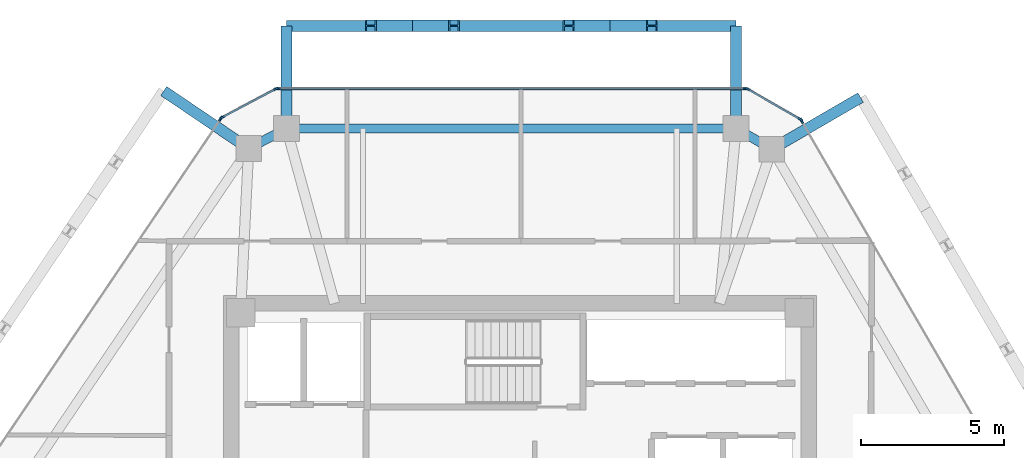
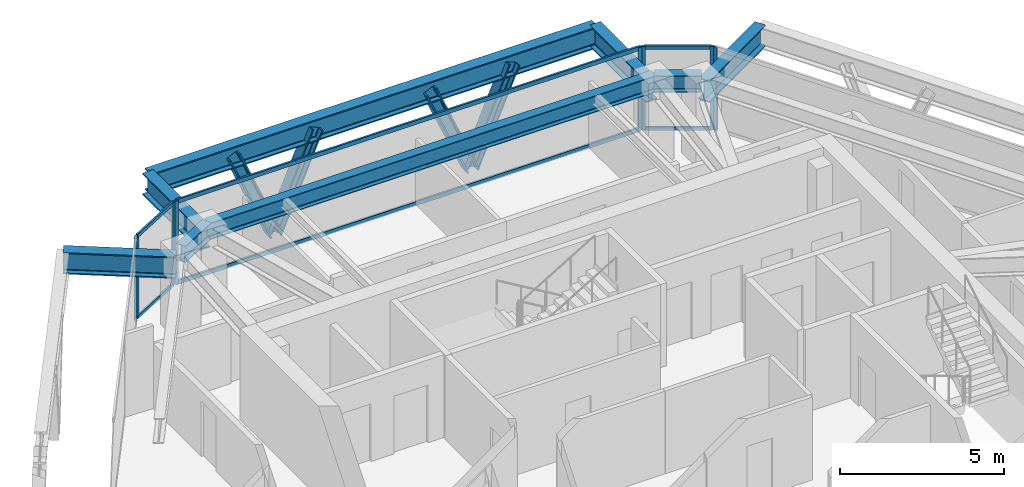
# One storey, part 6 of 11: 18 members, 8 beams, 5 elements without a shape of their own.
"""IFC4 building model written with IfcOpenShell, lengths in metres."""

from ifc_helpers import new_model, si_unit, direction, frame, origin, origin_2d, place, context, subcontext, project, spatial, rectangle, i_section, extrude, source, transform, mapped, material, layer, layer_set, material_profile, profile_set, type_object, type_shapes, element, aggregate, save


model = new_model("IFC4")

# Units and contexts
model_context = context("Model", 3, precision=1e-05, world=origin(), true_north=direction((0.0, 1.0)))
body_context = subcontext(model_context, "Body", "Model", "MODEL_VIEW")
ifc_project = project(units=[si_unit("LENGTHUNIT", "METRE"), si_unit("AREAUNIT", "SQUARE_METRE"), si_unit("VOLUMEUNIT", "CUBIC_METRE"), si_unit("PLANEANGLEUNIT", "RADIAN"), si_unit("MASSUNIT", "GRAM", prefix="KILO")], contexts=[model_context])

# Site, building, storey
site_placement = place(None, origin())
site = spatial("IfcSite", under=ifc_project, at=site_placement, CompositionType="ELEMENT")
building_placement = place(site_placement, origin())
building = spatial("IfcBuilding", under=site, at=building_placement, Name="Durnholm Broadcast Tower", CompositionType="ELEMENT")
storey_placement = place(building_placement, frame((0.0, 0.0, 264.89990234375)))
storey = spatial("IfcBuildingStorey", under=building, at=storey_placement, Name="L74", CompositionType="ELEMENT", Elevation=264.89990234375)

# Beams
ifc_material_1 = material(Name="Steel ASTM A992 Grade 50", Category="steel")
ifc_material_profile_1 = material_profile(ifc_material_1, i_section(OverallWidth=0.385009765625, OverallDepth=0.802978515625, WebThickness=0.023681640625, FlangeThickness=0.0419921875, FilletRadius=0.032958984375, at=origin_2d()), Name="W30X261")
ifc_profile_set_1 = profile_set([ifc_material_profile_1], Name="Steel ASTM A992 Grade 50")
beam_type_1 = type_object("IfcBeamType", Name="BM-EXO-TIE", PredefinedType="USERDEFINED", material=ifc_profile_set_1)
shared_shape_1 = source(origin(), body_context, "Body", "SweptSolid", [
    extrude(i_section(OverallWidth=0.385009765625, OverallDepth=0.802978515625, WebThickness=0.023681640625, FlangeThickness=0.0419921875, FilletRadius=0.032958984375, at=origin_2d()), origin(), (0.0, 0.0, 1.0), 3.4560546875),
])
for number, where, z_axis, x_axis, name in (
    (1, (7.57958984375, 14.406005859375, 2.3486328125), (0.0, 1.0, 0.0), (-1.0, 0.0, 0.0), "L74 exoskeleton stand-off tie bracket F4.1"),
    (2, (-8.187744140625, 14.406005859375, 2.3486328125), (0.0, 1.0, 0.0), (-1.0, 0.0, 0.0), "L74 exoskeleton stand-off tie bracket F4.2"),
):
    element("IfcBeam", number, at=place(storey_placement, frame(where, z_axis=z_axis, x_axis=x_axis)), inside=storey, type_object=beam_type_1, Name=name, ObjectType="GIRDER", PredefinedType="USERDEFINED", context=body_context, shape_type="MappedRepresentation", body=[
        mapped(shared_shape_1, transform((0.0, 0.0, 0.0), x_axis=(1.0, 0.0, 0.0), y_axis=(0.0, 1.0, 0.0), z_axis=(0.0, 0.0, 1.0), scale=1.0)),
    ])
shared_shape_2 = source(origin(), body_context, "Body", "SweptSolid", [
    extrude(i_section(OverallWidth=0.385009765625, OverallDepth=0.802978515625, WebThickness=0.023681640625, FlangeThickness=0.0419921875, FilletRadius=0.032958984375, at=origin_2d()), origin(), (0.0, 0.0, 1.0), 3.455810546875),
])
for number, where, z_axis, x_axis, name in (
    (3, (8.9619140625, 13.610107421875, 2.3486328125), (0.864906682814, 0.501932694715, 0.0), (-0.501932694715, 0.864906682814, 0.0), "L74 exoskeleton stand-off tie bracket F3.2"),
    (4, (-9.63427734375, 13.637939453125, 2.3486328125), (-0.828446342252, 0.560068440469, 0.0), (-0.560068440469, -0.828446342252, 0.0), "L74 exoskeleton stand-off tie bracket F5.1"),
):
    element("IfcBeam", number, at=place(storey_placement, frame(where, z_axis=z_axis, x_axis=x_axis)), inside=storey, type_object=beam_type_1, Name=name, ObjectType="GIRDER", PredefinedType="USERDEFINED", context=body_context, shape_type="MappedRepresentation", body=[
        mapped(shared_shape_2, transform((0.0, 0.0, 0.0), x_axis=(1.0, 0.0, 0.0), y_axis=(0.0, 1.0, 0.0), z_axis=(0.0, 0.0, 1.0), scale=1.0)),
    ])
ifc_material_profile_2 = material_profile(ifc_material_1, i_section(OverallWidth=0.3251953125, OverallDepth=0.6162109375, WebThickness=0.013916015625, FlangeThickness=0.021484375, FilletRadius=0.02783203125, at=origin_2d()), Name="W24X117")
ifc_profile_set_2 = profile_set([ifc_material_profile_2], Name="Steel ASTM A992 Grade 50")
beam_type_2 = type_object("IfcBeamType", Name="STL-SP-W24X117", PredefinedType="SPANDREL", material=ifc_profile_set_2)
shared_shape_3 = source(origin(), body_context, "Body", "SweptSolid", [
    extrude(i_section(OverallWidth=0.3251953125, OverallDepth=0.6162109375, WebThickness=0.013916015625, FlangeThickness=0.021484375, FilletRadius=0.02783203125, at=origin_2d()), origin(), (0.0, 0.0, 1.0), 1.502685546875),
])
beam_1_placement = place(storey_placement, frame((-9.514892578125, 13.557373046875, 2.777099609375), z_axis=(0.883241909673, 0.468917614296, 0.0), x_axis=(-0.468917614296, 0.883241909673, 0.0)))
element("IfcBeam", 5, at=beam_1_placement, inside=storey, type_object=beam_type_2, Name="L74 perimeter spandrel girder 04", PredefinedType="SPANDREL", context=body_context, shape_type="MappedRepresentation", body=[
    mapped(shared_shape_3, transform((0.0, 0.0, 0.0), x_axis=(1.0, 0.0, 0.0), y_axis=(0.0, 1.0, 0.0), z_axis=(0.0, 0.0, 1.0), scale=1.0)),
])
shared_shape_4 = source(origin(), body_context, "Body", "SweptSolid", [
    extrude(i_section(OverallWidth=0.3251953125, OverallDepth=0.6162109375, WebThickness=0.013916015625, FlangeThickness=0.021484375, FilletRadius=0.02783203125, at=origin_2d()), origin(), (0.0, 0.0, 1.0), 15.767333984375),
])
beam_2_placement = place(storey_placement, frame((-8.187744140625, 14.261962890625, 2.777099609375), z_axis=(1.0, 0.0, 0.0), x_axis=(0.0, 1.0, 0.0)))
element("IfcBeam", 6, at=beam_2_placement, inside=storey, type_object=beam_type_2, Name="L74 perimeter spandrel girder 05", PredefinedType="SPANDREL", context=body_context, shape_type="MappedRepresentation", body=[
    mapped(shared_shape_4, transform((0.0, 0.0, 0.0), x_axis=(1.0, 0.0, 0.0), y_axis=(0.0, 1.0, 0.0), z_axis=(0.0, 0.0, 1.0), scale=1.0)),
])
shared_shape_5 = source(origin(), body_context, "Body", "SweptSolid", [
    extrude(i_section(OverallWidth=0.3251953125, OverallDepth=0.6162109375, WebThickness=0.013916015625, FlangeThickness=0.021484375, FilletRadius=0.02783203125, at=origin_2d()), origin(), (0.0, 0.0, 1.0), 1.451416015625),
])
type_shapes(beam_type_2, [shared_shape_3, shared_shape_4, shared_shape_5])
beam_3_placement = place(storey_placement, frame((7.57958984375, 14.261962890625, 2.777099609375), z_axis=(0.866571760088, -0.499052486836, 0.0), x_axis=(0.499052486836, 0.866571760088, 0.0)))
element("IfcBeam", 7, at=beam_3_placement, inside=storey, type_object=beam_type_2, Name="L74 perimeter spandrel girder 06", PredefinedType="SPANDREL", context=body_context, shape_type="MappedRepresentation", body=[
    mapped(shared_shape_5, transform((0.0, 0.0, 0.0), x_axis=(1.0, 0.0, 0.0), y_axis=(0.0, 1.0, 0.0), z_axis=(0.0, 0.0, 1.0), scale=1.0)),
])
shared_shape_6 = source(origin(), body_context, "Body", "SweptSolid", [
    extrude(i_section(OverallWidth=0.385009765625, OverallDepth=0.802978515625, WebThickness=0.023681640625, FlangeThickness=0.0419921875, FilletRadius=0.032958984375, at=origin_2d()), origin(), (0.0, 0.0, 1.0), 15.767333984375),
])
type_shapes(beam_type_1, [shared_shape_1, shared_shape_2, shared_shape_6])
beam_4_placement = place(storey_placement, frame((7.57958984375, 17.862060546875, 2.3486328125), z_axis=(-1.0, 0.0, 0.0), x_axis=(0.0, -1.0, 0.0)))
element("IfcBeam", 8, at=beam_4_placement, inside=storey, type_object=beam_type_1, Name="L74 exoskeleton collector spandrel F4", PredefinedType="SPANDREL", context=body_context, shape_type="MappedRepresentation", body=[
    mapped(shared_shape_6, transform((0.0, 0.0, 0.0), x_axis=(1.0, 0.0, 0.0), y_axis=(0.0, 1.0, 0.0), z_axis=(0.0, 0.0, 1.0), scale=1.0)),
])

# Members
ifc_material_2 = material(Name="Steel ASTM A913 Grade 65", Category="steel")
ifc_material_profile_3 = material_profile(ifc_material_2, i_section(OverallWidth=0.40625, OverallDepth=0.416015625, WebThickness=0.02978515625, FlangeThickness=0.048095703125, FilletRadius=0.030517578125, at=origin_2d()), Name="W14X257")
ifc_profile_set_3 = profile_set([ifc_material_profile_3], Name="Steel ASTM A913 Grade 65")
member_type_1 = type_object("IfcMemberType", Name="STL-DG-W14X257", PredefinedType="BRACE", material=ifc_profile_set_3)
shared_shape_7 = source(origin(), body_context, "Body", "SweptSolid", [
    extrude(i_section(OverallWidth=0.40625, OverallDepth=0.416015625, WebThickness=0.02978515625, FlangeThickness=0.048095703125, FilletRadius=0.030517578125, at=origin_2d()), origin(), (0.0, 0.0, 1.0), 3.699462890625),
])
member_1_placement = place(storey_placement, frame((-3.772705078125, 17.862060546875, -1.051513671875), z_axis=(0.394102474633, 0.0, 0.919066504388), x_axis=(0.0, 1.0, 0.0)))
element("IfcMember", 9, at=member_1_placement, inside=storey, type_object=member_type_1, Name="L74 stand-off diagrid brace F4.D2.1", PredefinedType="BRACE", context=body_context, shape_type="MappedRepresentation", body=[
    mapped(shared_shape_7, transform((0.0, 0.0, 0.0), x_axis=(1.0, 0.0, 0.0), y_axis=(0.0, 1.0, 0.0), z_axis=(0.0, 0.0, 1.0), scale=1.0)),
])
shared_shape_8 = source(origin(), body_context, "Body", "SweptSolid", [
    extrude(i_section(OverallWidth=0.40625, OverallDepth=0.416015625, WebThickness=0.02978515625, FlangeThickness=0.048095703125, FilletRadius=0.030517578125, at=origin_2d()), origin(), (0.0, 0.0, 1.0), 3.69970703125),
])
type_shapes(member_type_1, [shared_shape_7, shared_shape_8])
for number, where, z_axis, x_axis, name in (
    (10, (3.164794921875, 17.862060546875, -1.051513671875), (0.394158214547, 0.0, 0.919042600702), (0.0, 1.0, 0.0), "L74 stand-off diagrid brace F4.D1.1"),
    (11, (3.164794921875, 17.862060546875, -1.051513671875), (-0.394158214547, 0.0, 0.919042600702), (0.0, -1.0, 0.0), "L74 stand-off diagrid brace F4.D1.2"),
    (12, (-3.772705078125, 17.862060546875, -1.051513671875), (-0.394158214547, 0.0, 0.919042600702), (0.0, -1.0, 0.0), "L74 stand-off diagrid brace F4.D2.2"),
):
    element("IfcMember", number, at=place(storey_placement, frame(where, z_axis=z_axis, x_axis=x_axis)), inside=storey, type_object=member_type_1, Name=name, PredefinedType="BRACE", context=body_context, shape_type="MappedRepresentation", body=[
        mapped(shared_shape_8, transform((0.0, 0.0, 0.0), x_axis=(1.0, 0.0, 0.0), y_axis=(0.0, 1.0, 0.0), z_axis=(0.0, 0.0, 1.0), scale=1.0)),
    ])

# Curtain wall, members
ifc_material_3 = material(Name="Aluminium and Solar Control IGU", Category="aluminium")
ifc_layer_1 = layer(ifc_material_3, 0.1650390625)
ifc_layer_set_1 = layer_set([ifc_layer_1], Name="Aluminium and Solar Control IGU")
curtain_wall_type_1 = type_object("IfcCurtainWallType", Name="CW-SYS-5", PredefinedType="NOTDEFINED", material=ifc_layer_set_1)
curtain_wall_1_placement = place(storey_placement, origin())
curtain_wall_1 = element("IfcCurtainWall", 13, at=curtain_wall_1_placement, inside=storey, type_object=curtain_wall_type_1, Name="L74 curtain wall CW-CORNER CW-L74-CRN-03", PredefinedType="NOTDEFINED")
ifc_material_4 = material(Name="Aluminium 6063-T6", Category="aluminium")
ifc_material_profile_4 = material_profile(ifc_material_4, rectangle(XDim=0.06494140625, YDim=0.1298828125, at=origin_2d()), Name="CWT65X130")
ifc_profile_set_4 = profile_set([ifc_material_profile_4], Name="Aluminium 6063-T6")
member_type_2 = type_object("IfcMemberType", Name="CW-SYS-5-TRN", PredefinedType="USERDEFINED", material=ifc_profile_set_4)
shared_shape_9 = source(origin(), body_context, "Body", "SweptSolid", [
    extrude(rectangle(XDim=0.06494140625, YDim=0.1298828125, at=origin_2d()), origin(), (0.0, 0.0, 1.0), 2.070068359375),
])
type_shapes(member_type_2, [shared_shape_9])
member_2_placement = place(storey_placement, frame((-10.421875, 14.66064453125, 0.03271484375), z_axis=(0.883164581026, 0.469063239682, 0.0), x_axis=(-0.469063239682, 0.883164581026, 0.0)))
member_2 = element("IfcMember", 14, at=member_2_placement, type_object=member_type_2, Name="CW-CORNER transom 1.1", ObjectType="TRANSOM", PredefinedType="USERDEFINED", context=body_context, shape_type="MappedRepresentation", body=[
    mapped(shared_shape_9, transform((0.0, 0.0, 0.0), x_axis=(1.0, 0.0, 0.0), y_axis=(0.0, 1.0, 0.0), z_axis=(0.0, 0.0, 1.0), scale=1.0)),
])
member_3_placement = place(storey_placement, frame((-10.421875, 14.66064453125, 3.067626953125), z_axis=(0.883164581026, 0.469063239682, 0.0), x_axis=(-0.469063239682, 0.883164581026, 0.0)))
member_3 = element("IfcMember", 15, at=member_3_placement, type_object=member_type_2, Name="CW-CORNER transom 1.2", ObjectType="TRANSOM", PredefinedType="USERDEFINED", context=body_context, shape_type="MappedRepresentation", body=[
    mapped(shared_shape_9, transform((0.0, 0.0, 0.0), x_axis=(1.0, 0.0, 0.0), y_axis=(0.0, 1.0, 0.0), z_axis=(0.0, 0.0, 1.0), scale=1.0)),
])

curtain_wall_2_placement = place(storey_placement, origin())
curtain_wall_2 = element("IfcCurtainWall", 16, at=curtain_wall_2_placement, inside=storey, type_object=curtain_wall_type_1, Name="L74 curtain wall CW-CORNER CW-L74-CRN-05", PredefinedType="NOTDEFINED")
member_4_placement = place(storey_placement, frame((8.01025390625, 15.629638671875, 0.03271484375), z_axis=(0.866525076636, -0.499133540809, 0.0), x_axis=(0.499133540809, 0.866525076636, 0.0)))
member_4 = element("IfcMember", 17, at=member_4_placement, type_object=member_type_2, Name="CW-CORNER transom 1.1", ObjectType="TRANSOM", PredefinedType="USERDEFINED", context=body_context, shape_type="MappedRepresentation", body=[
    mapped(shared_shape_9, transform((0.0, 0.0, 0.0), x_axis=(1.0, 0.0, 0.0), y_axis=(0.0, 1.0, 0.0), z_axis=(0.0, 0.0, 1.0), scale=1.0)),
])
member_5_placement = place(storey_placement, frame((8.01025390625, 15.629638671875, 3.067626953125), z_axis=(0.866525076636, -0.499133540809, 0.0), x_axis=(0.499133540809, 0.866525076636, 0.0)))
member_5 = element("IfcMember", 18, at=member_5_placement, type_object=member_type_2, Name="CW-CORNER transom 1.2", ObjectType="TRANSOM", PredefinedType="USERDEFINED", context=body_context, shape_type="MappedRepresentation", body=[
    mapped(shared_shape_9, transform((0.0, 0.0, 0.0), x_axis=(1.0, 0.0, 0.0), y_axis=(0.0, 1.0, 0.0), z_axis=(0.0, 0.0, 1.0), scale=1.0)),
])

ifc_layer_2 = layer(ifc_material_3, 0.18994140625)
ifc_layer_set_2 = layer_set([ifc_layer_2], Name="Aluminium and Solar Control IGU")
curtain_wall_type_2 = type_object("IfcCurtainWallType", Name="CW-SYS-4", PredefinedType="NOTDEFINED", material=ifc_layer_set_2)
curtain_wall_3_placement = place(storey_placement, origin())
curtain_wall_3 = element("IfcCurtainWall", 19, at=curtain_wall_3_placement, inside=storey, type_object=curtain_wall_type_2, Name="L74 curtain wall CW-Z34-VIS CW-L74-F04", PredefinedType="NOTDEFINED")
ifc_material_profile_5 = material_profile(ifc_material_4, rectangle(XDim=0.070068359375, YDim=0.14990234375, at=origin_2d()), Name="CWT70X150")
ifc_profile_set_5 = profile_set([ifc_material_profile_5], Name="Aluminium 6063-T6")
member_type_3 = type_object("IfcMemberType", Name="CW-SYS-4-TRN", PredefinedType="USERDEFINED", material=ifc_profile_set_5)
shared_shape_10 = source(origin(), body_context, "Body", "SweptSolid", [
    extrude(rectangle(XDim=0.070068359375, YDim=0.14990234375, at=origin_2d()), origin(), (0.0, 0.0, 1.0), 16.350341796875),
])
type_shapes(member_type_3, [shared_shape_10])
member_6_placement = place(storey_placement, frame((-8.46630859375, 15.662109375, 0.03515625), z_axis=(1.0, 0.0, 0.0), x_axis=(0.0, 1.0, 0.0)))
member_6 = element("IfcMember", 20, at=member_6_placement, type_object=member_type_3, Name="CW-Z34-VIS transom 1.1", ObjectType="TRANSOM", PredefinedType="USERDEFINED", context=body_context, shape_type="MappedRepresentation", body=[
    mapped(shared_shape_10, transform((0.0, 0.0, 0.0), x_axis=(1.0, 0.0, 0.0), y_axis=(0.0, 1.0, 0.0), z_axis=(0.0, 0.0, 1.0), scale=1.0)),
])
member_7_placement = place(storey_placement, frame((-8.46630859375, 15.662109375, 3.065185546875), z_axis=(1.0, 0.0, 0.0), x_axis=(0.0, 1.0, 0.0)))
member_7 = element("IfcMember", 21, at=member_7_placement, type_object=member_type_3, Name="CW-Z34-VIS transom 1.2", ObjectType="TRANSOM", PredefinedType="USERDEFINED", context=body_context, shape_type="MappedRepresentation", body=[
    mapped(shared_shape_10, transform((0.0, 0.0, 0.0), x_axis=(1.0, 0.0, 0.0), y_axis=(0.0, 1.0, 0.0), z_axis=(0.0, 0.0, 1.0), scale=1.0)),
])

# Member
ifc_material_profile_6 = material_profile(ifc_material_4, rectangle(XDim=0.06494140625, YDim=0.1650390625, at=origin_2d()), Name="CWM65X165")
ifc_profile_set_6 = profile_set([ifc_material_profile_6], Name="Aluminium 6063-T6")
member_type_4 = type_object("IfcMemberType", Name="CW-SYS-5-MUL", PredefinedType="MULLION", material=ifc_profile_set_6)
shared_shape_11 = source(origin(), body_context, "Body", "SweptSolid", [
    extrude(rectangle(XDim=0.06494140625, YDim=0.1650390625, at=origin_2d()), origin(), (0.0, 0.0, 1.0), 3.10009765625),
])
type_shapes(member_type_4, [shared_shape_11])
member_8_placement = place(storey_placement, frame((-10.45068359375, 14.6455078125, 0.0), z_axis=(0.0, 0.0, 1.0), x_axis=(-0.469006771575, 0.883194569853, 0.0)))
member_8 = element("IfcMember", 22, at=member_8_placement, type_object=member_type_4, Name="CW-CORNER mullion 1", PredefinedType="MULLION", context=body_context, shape_type="MappedRepresentation", body=[
    mapped(shared_shape_11, transform((0.0, 0.0, 0.0), x_axis=(1.0, 0.0, 0.0), y_axis=(0.0, 1.0, 0.0), z_axis=(0.0, 0.0, 1.0), scale=1.0)),
])

member_9_placement = place(storey_placement, frame((-8.565185546875, 15.646728515625, 0.0), z_axis=(0.0, 0.0, 1.0), x_axis=(-0.469006771575, 0.883194569853, 0.0)))
member_9 = element("IfcMember", 23, at=member_9_placement, type_object=member_type_4, Name="CW-CORNER mullion 2", PredefinedType="MULLION", context=body_context, shape_type="MappedRepresentation", body=[
    mapped(shared_shape_11, transform((0.0, 0.0, 0.0), x_axis=(1.0, 0.0, 0.0), y_axis=(0.0, 1.0, 0.0), z_axis=(0.0, 0.0, 1.0), scale=1.0)),
])

aggregate(curtain_wall_1, [member_8, member_9, member_2, member_3])

member_10_placement = place(storey_placement, frame((7.982177734375, 15.645751953125, 0.0), z_axis=(0.0, 0.0, 1.0), x_axis=(0.499058582333, 0.866568249707, 0.0)))
member_10 = element("IfcMember", 24, at=member_10_placement, type_object=member_type_4, Name="CW-CORNER mullion 1", PredefinedType="MULLION", context=body_context, shape_type="MappedRepresentation", body=[
    mapped(shared_shape_11, transform((0.0, 0.0, 0.0), x_axis=(1.0, 0.0, 0.0), y_axis=(0.0, 1.0, 0.0), z_axis=(0.0, 0.0, 1.0), scale=1.0)),
])

member_11_placement = place(storey_placement, frame((9.832275390625, 14.580322265625, 0.0), z_axis=(0.0, 0.0, 1.0), x_axis=(0.499058582333, 0.866568249707, 0.0)))
member_11 = element("IfcMember", 25, at=member_11_placement, type_object=member_type_4, Name="CW-CORNER mullion 2", PredefinedType="MULLION", context=body_context, shape_type="MappedRepresentation", body=[
    mapped(shared_shape_11, transform((0.0, 0.0, 0.0), x_axis=(1.0, 0.0, 0.0), y_axis=(0.0, 1.0, 0.0), z_axis=(0.0, 0.0, 1.0), scale=1.0)),
])

aggregate(curtain_wall_2, [member_10, member_11, member_4, member_5])

# Curtain wall, member
curtain_wall_4_placement = place(storey_placement, origin())
curtain_wall_4 = element("IfcCurtainWall", 26, at=curtain_wall_4_placement, inside=storey, type_object=curtain_wall_type_2, Name="L74 curtain wall CW-Z34-VIS CW-L74-F02", PredefinedType="NOTDEFINED")
ifc_material_profile_7 = material_profile(ifc_material_4, rectangle(XDim=0.070068359375, YDim=0.18994140625, at=origin_2d()), Name="CWM70X190")
ifc_profile_set_7 = profile_set([ifc_material_profile_7], Name="Aluminium 6063-T6")
member_type_5 = type_object("IfcMemberType", Name="CW-SYS-4-MUL", PredefinedType="MULLION", material=ifc_profile_set_7)
shared_shape_12 = source(origin(), body_context, "Body", "SweptSolid", [
    extrude(rectangle(XDim=0.070068359375, YDim=0.18994140625, at=origin_2d()), origin(), (0.0, 0.0, 1.0), 3.10009765625),
])
type_shapes(member_type_5, [shared_shape_12])
member_12_placement = place(storey_placement, frame((-10.4990234375, 14.601318359375, 0.0), z_axis=(0.0, 0.0, 1.0), x_axis=(-0.828443431662, 0.560072745753, 0.0)))
member_12 = element("IfcMember", 27, at=member_12_placement, type_object=member_type_5, Name="CW-Z34-VIS mullion 2", PredefinedType="MULLION", context=body_context, shape_type="MappedRepresentation", body=[
    mapped(shared_shape_12, transform((0.0, 0.0, 0.0), x_axis=(1.0, 0.0, 0.0), y_axis=(0.0, 1.0, 0.0), z_axis=(0.0, 0.0, 1.0), scale=1.0)),
])
aggregate(curtain_wall_4, [member_12])

# Member
member_13_placement = place(storey_placement, frame((-8.50146484375, 15.662109375, 0.0), z_axis=(0.0, 0.0, 1.0), x_axis=(0.0, 1.0, 0.0)))
member_13 = element("IfcMember", 28, at=member_13_placement, type_object=member_type_5, Name="CW-Z34-VIS mullion 1", PredefinedType="MULLION", context=body_context, shape_type="MappedRepresentation", body=[
    mapped(shared_shape_12, transform((0.0, 0.0, 0.0), x_axis=(1.0, 0.0, 0.0), y_axis=(0.0, 1.0, 0.0), z_axis=(0.0, 0.0, 1.0), scale=1.0)),
])

member_14_placement = place(storey_placement, frame((7.9189453125, 15.662109375, 0.0), z_axis=(0.0, 0.0, 1.0), x_axis=(0.0, 1.0, 0.0)))
member_14 = element("IfcMember", 29, at=member_14_placement, type_object=member_type_5, Name="CW-Z34-VIS mullion 2", PredefinedType="MULLION", context=body_context, shape_type="MappedRepresentation", body=[
    mapped(shared_shape_12, transform((0.0, 0.0, 0.0), x_axis=(1.0, 0.0, 0.0), y_axis=(0.0, 1.0, 0.0), z_axis=(0.0, 0.0, 1.0), scale=1.0)),
])

aggregate(curtain_wall_3, [member_13, member_14, member_6, member_7])

# Curtain wall, member
curtain_wall_5_placement = place(storey_placement, origin())
curtain_wall_5 = element("IfcCurtainWall", 30, at=curtain_wall_5_placement, inside=storey, type_object=curtain_wall_type_2, Name="L74 curtain wall CW-Z34-VIS CW-L74-F06", PredefinedType="NOTDEFINED")
member_15_placement = place(storey_placement, frame((9.8779296875, 14.533935546875, 0.0), z_axis=(0.0, 0.0, 1.0), x_axis=(0.864899883824, 0.50194441023, 0.0)))
member_15 = element("IfcMember", 31, at=member_15_placement, type_object=member_type_5, Name="CW-Z34-VIS mullion 1", PredefinedType="MULLION", context=body_context, shape_type="MappedRepresentation", body=[
    mapped(shared_shape_12, transform((0.0, 0.0, 0.0), x_axis=(1.0, 0.0, 0.0), y_axis=(0.0, 1.0, 0.0), z_axis=(0.0, 0.0, 1.0), scale=1.0)),
])
aggregate(curtain_wall_5, [member_15])

save(model, "model.ifc")
